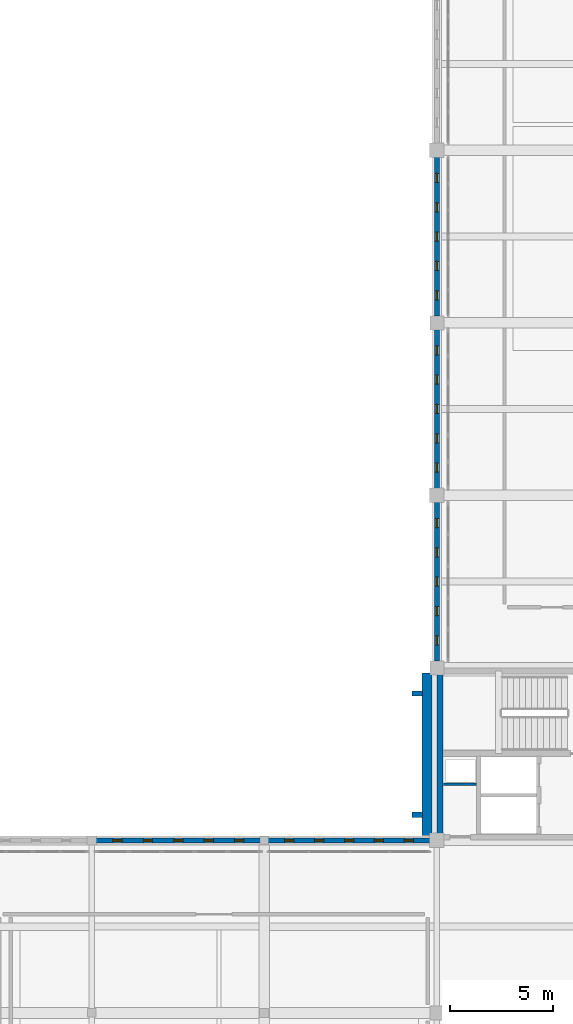
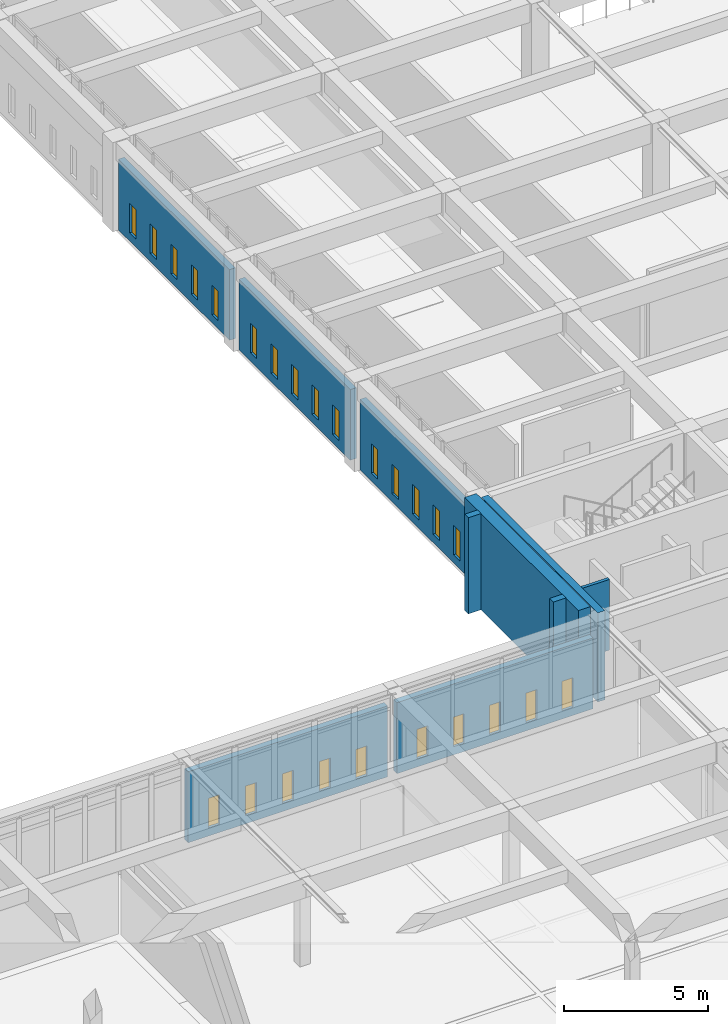
# One storey, part 86 of 110: 25 windows, 10 walls, 25 openings.
"""IFC4 building model written with IfcOpenShell, lengths in metres."""

from ifc_helpers import new_model, si_unit, direction, frame, frame_2d, origin, place, context, subcontext, project, spatial, rectangle, extrude, material, layer, layer_set, type_object, element, fill, save


model = new_model("IFC4")

# Units and contexts
model_context = context("Model", 3, precision=1e-05, world=origin(), true_north=direction((0.0, 1.0)))
body_context = subcontext(model_context, "Body", "Model", "MODEL_VIEW")
ifc_project = project(units=[si_unit("LENGTHUNIT", "METRE"), si_unit("AREAUNIT", "SQUARE_METRE"), si_unit("VOLUMEUNIT", "CUBIC_METRE"), si_unit("PLANEANGLEUNIT", "RADIAN"), si_unit("MASSUNIT", "GRAM", prefix="KILO")], contexts=[model_context])

# Site, building, storey
site_placement = place(None, origin())
site = spatial("IfcSite", under=ifc_project, at=site_placement, CompositionType="ELEMENT")
building_placement = place(site_placement, origin())
building = spatial("IfcBuilding", under=site, at=building_placement, Name="Kveldsbrygga Polytechnic", CompositionType="ELEMENT")
storey_placement = place(building_placement, frame((0.0, 0.0, 9.860107421875)))
storey = spatial("IfcBuildingStorey", under=building, at=storey_placement, Name="L02", CompositionType="ELEMENT", Elevation=9.860107421875)

# Walls
ifc_material_1 = material(Name="Fired clay brick masonry M10", Category="masonry")
ifc_layer_1 = layer(ifc_material_1, 0.47998046875)
ifc_layer_set_1 = layer_set([ifc_layer_1], Name="Fired clay brick masonry M10")
wall_type_1 = type_object("IfcWallType", Name="EW-BAST-480", PredefinedType="SOLIDWALL", material=ifc_layer_set_1)
wall_1_placement = place(storey_placement, frame((125.52001953125, 25.43994140625, 0.0), z_axis=(0.0, 0.0, 1.0), x_axis=(0.0, 1.0, 0.0)))
element("IfcWall", 1, at=wall_1_placement, inside=storey, type_object=wall_type_1, Name="Corner Stair Bastion Wall BAST-L02-Y-15-03", PredefinedType="SOLIDWALL", context=body_context, shape_type="SweptSolid", body=[
    extrude(rectangle(XDim=7.920166015625, YDim=0.47998046875, at=frame_2d((3.9599609375, 0.0))), origin(), (0.0, 0.0, 1.0), 4.079833984375),
])
ifc_layer_2 = layer(ifc_material_1, 0.260009765625)
ifc_layer_set_2 = layer_set([ifc_layer_2], Name="Fired clay brick masonry M10")
wall_type_2 = type_object("IfcWallType", Name="EW-BUTT-260", PredefinedType="SOLIDWALL", material=ifc_layer_set_2)
for number, where, z_axis, x_axis, name in (
    (2, (125.300048828125, 26.449951171875, 0.0), (0.0, 0.0, 1.0), (-1.0, 0.0, 0.0), "Gothic Brick Buttress Pier BCLAS-L02-Y-15-03-1"),
    (3, (125.300048828125, 32.35009765625, 0.0), (0.0, 0.0, 1.0), (-1.0, 0.0, 0.0), "Gothic Brick Buttress Pier BCLAS-L02-Y-15-03-2"),
):
    element("IfcWall", number, at=place(storey_placement, frame(where, z_axis=z_axis, x_axis=x_axis)), inside=storey, type_object=wall_type_2, Name=name, PredefinedType="SOLIDWALL", context=body_context, shape_type="SweptSolid", body=[
        extrude(rectangle(XDim=0.52001953125, YDim=0.260009765625, at=frame_2d((0.260009765625, 0.0))), origin(), (0.0, 0.0, 1.0), 4.079833984375),
    ])

# Wall, openings, windows
ifc_layer_3 = layer(ifc_material_1, 0.239990234375)
ifc_layer_set_3 = layer_set([ifc_layer_3], Name="Fired clay brick masonry M10")
wall_type_3 = type_object("IfcWallType", Name="EW-SCRN-240", PredefinedType="SOLIDWALL", material=ifc_layer_set_3)
wall_2_placement = place(storey_placement, frame((109.409912109375, 25.199951171875, 0.0), z_axis=(0.0, 0.0, 1.0), x_axis=(1.0, 0.0, 0.0)))
wall_2 = element("IfcWall", 4, at=wall_2_placement, inside=storey, type_object=wall_type_3, Name="Perforated Brick Corridor Screen Wall SCRW-L02-X-13-03", PredefinedType="SOLIDWALL", context=body_context, shape_type="SweptSolid", body=[
    extrude(rectangle(XDim=8.005126953125, YDim=0.239990234375, at=frame_2d((4.00244140625, 0.0))), origin(), (0.0, 0.0, 1.0), 3.010009765625),
])
opening_1_placement = place(wall_2_placement, frame((0.820556640625, 0.0, 0.35009765625)))
opening_1 = element("IfcOpeningElement", 5, at=opening_1_placement, cuts=wall_2, Name="Opening W-48", PredefinedType="OPENING", context=body_context, shape_type="SweptSolid", body=[
    extrude(rectangle(XDim=0.43994140625, YDim=1.25, at=frame_2d((0.219970703125, 0.625))), frame((0.0, 0.1298828125, 0.0), z_axis=(0.0, -1.0, 0.0), x_axis=(1.0, 0.0, 0.0)), (0.0, 0.0, 1.0), 0.260009765625),
])
opening_2_placement = place(wall_2_placement, frame((2.301513671875, 0.0, 0.35009765625)))
opening_2 = element("IfcOpeningElement", 6, at=opening_2_placement, cuts=wall_2, Name="Opening W-48", PredefinedType="OPENING", context=body_context, shape_type="SweptSolid", body=[
    extrude(rectangle(XDim=0.43994140625, YDim=1.25, at=frame_2d((0.219970703125, 0.625))), frame((0.0, 0.1298828125, 0.0), z_axis=(0.0, -1.0, 0.0), x_axis=(1.0, 0.0, 0.0)), (0.0, 0.0, 1.0), 0.260009765625),
])
opening_3_placement = place(wall_2_placement, frame((3.782470703125, 0.0, 0.35009765625)))
opening_3 = element("IfcOpeningElement", 7, at=opening_3_placement, cuts=wall_2, Name="Opening W-48", PredefinedType="OPENING", context=body_context, shape_type="SweptSolid", body=[
    extrude(rectangle(XDim=0.43994140625, YDim=1.25, at=frame_2d((0.219970703125, 0.625))), frame((0.0, 0.1298828125, 0.0), z_axis=(0.0, -1.0, 0.0), x_axis=(1.0, 0.0, 0.0)), (0.0, 0.0, 1.0), 0.260009765625),
])
opening_4_placement = place(wall_2_placement, frame((5.263427734375, 0.0, 0.35009765625)))
opening_4 = element("IfcOpeningElement", 8, at=opening_4_placement, cuts=wall_2, Name="Opening W-48", PredefinedType="OPENING", context=body_context, shape_type="SweptSolid", body=[
    extrude(rectangle(XDim=0.43994140625, YDim=1.25, at=frame_2d((0.219970703125, 0.625))), frame((0.0, 0.1298828125, 0.0), z_axis=(0.0, -1.0, 0.0), x_axis=(1.0, 0.0, 0.0)), (0.0, 0.0, 1.0), 0.260009765625),
])
opening_5_placement = place(wall_2_placement, frame((6.744384765625, 0.0, 0.35009765625)))
opening_5 = element("IfcOpeningElement", 9, at=opening_5_placement, cuts=wall_2, Name="Opening W-48", PredefinedType="OPENING", context=body_context, shape_type="SweptSolid", body=[
    extrude(rectangle(XDim=0.43994140625, YDim=1.25, at=frame_2d((0.219970703125, 0.625))), frame((0.0, 0.1298828125, 0.0), z_axis=(0.0, -1.0, 0.0), x_axis=(1.0, 0.0, 0.0)), (0.0, 0.0, 1.0), 0.260009765625),
])
ifc_material_2 = material(Name="Insulated triple low-E glass", Category="glass")
window_type = type_object("IfcWindowType", Name="WN-SCRN-044x125", PartitioningType="SINGLE_PANEL", PredefinedType="WINDOW", material=ifc_material_2)
window_1_placement = place(opening_1_placement, origin())
window_1 = element("IfcWindow", 10, at=window_1_placement, inside=storey, type_object=window_type, Name="Perforated Screen Aperture L02-X-13-03-1", OverallHeight=1.25, OverallWidth=0.43994140625, PartitioningType="SINGLE_PANEL", PredefinedType="WINDOW", context=body_context, shape_type="SweptSolid", body=[
    extrude(rectangle(XDim=0.43994140625, YDim=1.25, at=frame_2d((0.219970703125, 0.625))), frame((0.0, 0.030029296875, 0.0), z_axis=(0.0, -1.0, 0.0), x_axis=(1.0, 0.0, 0.0)), (0.0, 0.0, 1.0), 0.06005859375),
])
fill(opening_1, window_1)
window_2_placement = place(opening_2_placement, origin())
window_2 = element("IfcWindow", 11, at=window_2_placement, inside=storey, type_object=window_type, Name="Perforated Screen Aperture L02-X-13-03-2", OverallHeight=1.25, OverallWidth=0.43994140625, PartitioningType="SINGLE_PANEL", PredefinedType="WINDOW", context=body_context, shape_type="SweptSolid", body=[
    extrude(rectangle(XDim=0.43994140625, YDim=1.25, at=frame_2d((0.219970703125, 0.625))), frame((0.0, 0.030029296875, 0.0), z_axis=(0.0, -1.0, 0.0), x_axis=(1.0, 0.0, 0.0)), (0.0, 0.0, 1.0), 0.06005859375),
])
fill(opening_2, window_2)
window_3_placement = place(opening_3_placement, origin())
window_3 = element("IfcWindow", 12, at=window_3_placement, inside=storey, type_object=window_type, Name="Perforated Screen Aperture L02-X-13-03-3", OverallHeight=1.25, OverallWidth=0.43994140625, PartitioningType="SINGLE_PANEL", PredefinedType="WINDOW", context=body_context, shape_type="SweptSolid", body=[
    extrude(rectangle(XDim=0.43994140625, YDim=1.25, at=frame_2d((0.219970703125, 0.625))), frame((0.0, 0.030029296875, 0.0), z_axis=(0.0, -1.0, 0.0), x_axis=(1.0, 0.0, 0.0)), (0.0, 0.0, 1.0), 0.06005859375),
])
fill(opening_3, window_3)
window_4_placement = place(opening_4_placement, origin())
window_4 = element("IfcWindow", 13, at=window_4_placement, inside=storey, type_object=window_type, Name="Perforated Screen Aperture L02-X-13-03-4", OverallHeight=1.25, OverallWidth=0.43994140625, PartitioningType="SINGLE_PANEL", PredefinedType="WINDOW", context=body_context, shape_type="SweptSolid", body=[
    extrude(rectangle(XDim=0.43994140625, YDim=1.25, at=frame_2d((0.219970703125, 0.625))), frame((0.0, 0.030029296875, 0.0), z_axis=(0.0, -1.0, 0.0), x_axis=(1.0, 0.0, 0.0)), (0.0, 0.0, 1.0), 0.06005859375),
])
fill(opening_4, window_4)
window_5_placement = place(opening_5_placement, origin())
window_5 = element("IfcWindow", 14, at=window_5_placement, inside=storey, type_object=window_type, Name="Perforated Screen Aperture L02-X-13-03-5", OverallHeight=1.25, OverallWidth=0.43994140625, PartitioningType="SINGLE_PANEL", PredefinedType="WINDOW", context=body_context, shape_type="SweptSolid", body=[
    extrude(rectangle(XDim=0.43994140625, YDim=1.25, at=frame_2d((0.219970703125, 0.625))), frame((0.0, 0.030029296875, 0.0), z_axis=(0.0, -1.0, 0.0), x_axis=(1.0, 0.0, 0.0)), (0.0, 0.0, 1.0), 0.06005859375),
])
fill(opening_5, window_5)

wall_3_placement = place(storey_placement, frame((117.784912109375, 25.199951171875, 0.0), z_axis=(0.0, 0.0, 1.0), x_axis=(1.0, 0.0, 0.0)))
wall_3 = element("IfcWall", 15, at=wall_3_placement, inside=storey, type_object=wall_type_3, Name="Perforated Brick Corridor Screen Wall SCRW-L02-X-14-03", PredefinedType="SOLIDWALL", context=body_context, shape_type="SweptSolid", body=[
    extrude(rectangle(XDim=7.880126953125, YDim=0.239990234375, at=frame_2d((3.93994140625, 0.0))), origin(), (0.0, 0.0, 1.0), 3.010009765625),
])
opening_6_placement = place(wall_3_placement, frame((0.80810546875, 0.0, 0.35009765625)))
opening_6 = element("IfcOpeningElement", 16, at=opening_6_placement, cuts=wall_3, Name="Opening W-48", PredefinedType="OPENING", context=body_context, shape_type="SweptSolid", body=[
    extrude(rectangle(XDim=0.43994140625, YDim=1.25, at=frame_2d((0.219970703125, 0.625))), frame((0.0, 0.1298828125, 0.0), z_axis=(0.0, -1.0, 0.0), x_axis=(1.0, 0.0, 0.0)), (0.0, 0.0, 1.0), 0.260009765625),
])
opening_7_placement = place(wall_3_placement, frame((2.263916015625, 0.0, 0.35009765625)))
opening_7 = element("IfcOpeningElement", 17, at=opening_7_placement, cuts=wall_3, Name="Opening W-48", PredefinedType="OPENING", context=body_context, shape_type="SweptSolid", body=[
    extrude(rectangle(XDim=0.43994140625, YDim=1.25, at=frame_2d((0.219970703125, 0.625))), frame((0.0, 0.1298828125, 0.0), z_axis=(0.0, -1.0, 0.0), x_axis=(1.0, 0.0, 0.0)), (0.0, 0.0, 1.0), 0.260009765625),
])
opening_8_placement = place(wall_3_placement, frame((3.719970703125, 0.0, 0.35009765625)))
opening_8 = element("IfcOpeningElement", 18, at=opening_8_placement, cuts=wall_3, Name="Opening W-48", PredefinedType="OPENING", context=body_context, shape_type="SweptSolid", body=[
    extrude(rectangle(XDim=0.43994140625, YDim=1.25, at=frame_2d((0.219970703125, 0.625))), frame((0.0, 0.1298828125, 0.0), z_axis=(0.0, -1.0, 0.0), x_axis=(1.0, 0.0, 0.0)), (0.0, 0.0, 1.0), 0.260009765625),
])
opening_9_placement = place(wall_3_placement, frame((5.176025390625, 0.0, 0.35009765625)))
opening_9 = element("IfcOpeningElement", 19, at=opening_9_placement, cuts=wall_3, Name="Opening W-48", PredefinedType="OPENING", context=body_context, shape_type="SweptSolid", body=[
    extrude(rectangle(XDim=0.43994140625, YDim=1.25, at=frame_2d((0.219970703125, 0.625))), frame((0.0, 0.1298828125, 0.0), z_axis=(0.0, -1.0, 0.0), x_axis=(1.0, 0.0, 0.0)), (0.0, 0.0, 1.0), 0.260009765625),
])
opening_10_placement = place(wall_3_placement, frame((6.632080078125, 0.0, 0.35009765625)))
opening_10 = element("IfcOpeningElement", 20, at=opening_10_placement, cuts=wall_3, Name="Opening W-48", PredefinedType="OPENING", context=body_context, shape_type="SweptSolid", body=[
    extrude(rectangle(XDim=0.43994140625, YDim=1.25, at=frame_2d((0.219970703125, 0.625))), frame((0.0, 0.1298828125, 0.0), z_axis=(0.0, -1.0, 0.0), x_axis=(1.0, 0.0, 0.0)), (0.0, 0.0, 1.0), 0.260009765625),
])
window_6_placement = place(opening_6_placement, origin())
window_6 = element("IfcWindow", 21, at=window_6_placement, inside=storey, type_object=window_type, Name="Perforated Screen Aperture L02-X-14-03-1", OverallHeight=1.25, OverallWidth=0.43994140625, PartitioningType="SINGLE_PANEL", PredefinedType="WINDOW", context=body_context, shape_type="SweptSolid", body=[
    extrude(rectangle(XDim=0.43994140625, YDim=1.25, at=frame_2d((0.219970703125, 0.625))), frame((0.0, 0.030029296875, 0.0), z_axis=(0.0, -1.0, 0.0), x_axis=(1.0, 0.0, 0.0)), (0.0, 0.0, 1.0), 0.06005859375),
])
fill(opening_6, window_6)
window_7_placement = place(opening_7_placement, origin())
window_7 = element("IfcWindow", 22, at=window_7_placement, inside=storey, type_object=window_type, Name="Perforated Screen Aperture L02-X-14-03-2", OverallHeight=1.25, OverallWidth=0.43994140625, PartitioningType="SINGLE_PANEL", PredefinedType="WINDOW", context=body_context, shape_type="SweptSolid", body=[
    extrude(rectangle(XDim=0.43994140625, YDim=1.25, at=frame_2d((0.219970703125, 0.625))), frame((0.0, 0.030029296875, 0.0), z_axis=(0.0, -1.0, 0.0), x_axis=(1.0, 0.0, 0.0)), (0.0, 0.0, 1.0), 0.06005859375),
])
fill(opening_7, window_7)
window_8_placement = place(opening_8_placement, origin())
window_8 = element("IfcWindow", 23, at=window_8_placement, inside=storey, type_object=window_type, Name="Perforated Screen Aperture L02-X-14-03-3", OverallHeight=1.25, OverallWidth=0.43994140625, PartitioningType="SINGLE_PANEL", PredefinedType="WINDOW", context=body_context, shape_type="SweptSolid", body=[
    extrude(rectangle(XDim=0.43994140625, YDim=1.25, at=frame_2d((0.219970703125, 0.625))), frame((0.0, 0.030029296875, 0.0), z_axis=(0.0, -1.0, 0.0), x_axis=(1.0, 0.0, 0.0)), (0.0, 0.0, 1.0), 0.06005859375),
])
fill(opening_8, window_8)
window_9_placement = place(opening_9_placement, origin())
window_9 = element("IfcWindow", 24, at=window_9_placement, inside=storey, type_object=window_type, Name="Perforated Screen Aperture L02-X-14-03-4", OverallHeight=1.25, OverallWidth=0.43994140625, PartitioningType="SINGLE_PANEL", PredefinedType="WINDOW", context=body_context, shape_type="SweptSolid", body=[
    extrude(rectangle(XDim=0.43994140625, YDim=1.25, at=frame_2d((0.219970703125, 0.625))), frame((0.0, 0.030029296875, 0.0), z_axis=(0.0, -1.0, 0.0), x_axis=(1.0, 0.0, 0.0)), (0.0, 0.0, 1.0), 0.06005859375),
])
fill(opening_9, window_9)
window_10_placement = place(opening_10_placement, origin())
window_10 = element("IfcWindow", 25, at=window_10_placement, inside=storey, type_object=window_type, Name="Perforated Screen Aperture L02-X-14-03-5", OverallHeight=1.25, OverallWidth=0.43994140625, PartitioningType="SINGLE_PANEL", PredefinedType="WINDOW", context=body_context, shape_type="SweptSolid", body=[
    extrude(rectangle(XDim=0.43994140625, YDim=1.25, at=frame_2d((0.219970703125, 0.625))), frame((0.0, 0.030029296875, 0.0), z_axis=(0.0, -1.0, 0.0), x_axis=(1.0, 0.0, 0.0)), (0.0, 0.0, 1.0), 0.06005859375),
])
fill(opening_10, window_10)

wall_4_placement = place(storey_placement, frame((126.0, 33.925048828125, 0.0), z_axis=(0.0, 0.0, 1.0), x_axis=(0.0, 1.0, 0.0)))
wall_4 = element("IfcWall", 26, at=wall_4_placement, inside=storey, type_object=wall_type_3, Name="Perforated Brick Corridor Screen Wall SCRW-L02-Y-15-04", PredefinedType="SOLIDWALL", context=body_context, shape_type="SweptSolid", body=[
    extrude(rectangle(XDim=7.739990234375, YDim=0.239990234375, at=frame_2d((3.8701171875, 0.0))), origin(), (0.0, 0.0, 1.0), 3.0),
])
opening_11_placement = place(wall_4_placement, frame((0.7939453125, 0.0, 0.35009765625)))
opening_11 = element("IfcOpeningElement", 27, at=opening_11_placement, cuts=wall_4, Name="Opening W-48", PredefinedType="OPENING", context=body_context, shape_type="SweptSolid", body=[
    extrude(rectangle(XDim=0.43994140625, YDim=1.25, at=frame_2d((0.219970703125, 0.625))), frame((0.0, 0.1298828125, 0.0), z_axis=(0.0, -1.0, 0.0), x_axis=(1.0, 0.0, 0.0)), (0.0, 0.0, 1.0), 0.260009765625),
])
opening_12_placement = place(wall_4_placement, frame((2.221923828125, 0.0, 0.35009765625)))
opening_12 = element("IfcOpeningElement", 28, at=opening_12_placement, cuts=wall_4, Name="Opening W-48", PredefinedType="OPENING", context=body_context, shape_type="SweptSolid", body=[
    extrude(rectangle(XDim=0.43994140625, YDim=1.25, at=frame_2d((0.219970703125, 0.625))), frame((0.0, 0.1298828125, 0.0), z_axis=(0.0, -1.0, 0.0), x_axis=(1.0, 0.0, 0.0)), (0.0, 0.0, 1.0), 0.260009765625),
])
opening_13_placement = place(wall_4_placement, frame((3.64990234375, 0.0, 0.35009765625)))
opening_13 = element("IfcOpeningElement", 29, at=opening_13_placement, cuts=wall_4, Name="Opening W-48", PredefinedType="OPENING", context=body_context, shape_type="SweptSolid", body=[
    extrude(rectangle(XDim=0.43994140625, YDim=1.25, at=frame_2d((0.219970703125, 0.625))), frame((0.0, 0.1298828125, 0.0), z_axis=(0.0, -1.0, 0.0), x_axis=(1.0, 0.0, 0.0)), (0.0, 0.0, 1.0), 0.260009765625),
])
opening_14_placement = place(wall_4_placement, frame((5.077880859375, 0.0, 0.35009765625)))
opening_14 = element("IfcOpeningElement", 30, at=opening_14_placement, cuts=wall_4, Name="Opening W-48", PredefinedType="OPENING", context=body_context, shape_type="SweptSolid", body=[
    extrude(rectangle(XDim=0.43994140625, YDim=1.25, at=frame_2d((0.219970703125, 0.625))), frame((0.0, 0.1298828125, 0.0), z_axis=(0.0, -1.0, 0.0), x_axis=(1.0, 0.0, 0.0)), (0.0, 0.0, 1.0), 0.260009765625),
])
opening_15_placement = place(wall_4_placement, frame((6.506103515625, 0.0, 0.35009765625)))
opening_15 = element("IfcOpeningElement", 31, at=opening_15_placement, cuts=wall_4, Name="Opening W-48", PredefinedType="OPENING", context=body_context, shape_type="SweptSolid", body=[
    extrude(rectangle(XDim=0.43994140625, YDim=1.25, at=frame_2d((0.219970703125, 0.625))), frame((0.0, 0.1298828125, 0.0), z_axis=(0.0, -1.0, 0.0), x_axis=(1.0, 0.0, 0.0)), (0.0, 0.0, 1.0), 0.260009765625),
])
window_11_placement = place(opening_11_placement, origin())
window_11 = element("IfcWindow", 32, at=window_11_placement, inside=storey, type_object=window_type, Name="Perforated Screen Aperture L02-Y-15-04-1", OverallHeight=1.25, OverallWidth=0.43994140625, PartitioningType="SINGLE_PANEL", PredefinedType="WINDOW", context=body_context, shape_type="SweptSolid", body=[
    extrude(rectangle(XDim=0.43994140625, YDim=1.25, at=frame_2d((0.219970703125, 0.625))), frame((0.0, 0.030029296875, 0.0), z_axis=(0.0, -1.0, 0.0), x_axis=(1.0, 0.0, 0.0)), (0.0, 0.0, 1.0), 0.06005859375),
])
fill(opening_11, window_11)
window_12_placement = place(opening_12_placement, origin())
window_12 = element("IfcWindow", 33, at=window_12_placement, inside=storey, type_object=window_type, Name="Perforated Screen Aperture L02-Y-15-04-2", OverallHeight=1.25, OverallWidth=0.43994140625, PartitioningType="SINGLE_PANEL", PredefinedType="WINDOW", context=body_context, shape_type="SweptSolid", body=[
    extrude(rectangle(XDim=0.43994140625, YDim=1.25, at=frame_2d((0.219970703125, 0.625))), frame((0.0, 0.030029296875, 0.0), z_axis=(0.0, -1.0, 0.0), x_axis=(1.0, 0.0, 0.0)), (0.0, 0.0, 1.0), 0.06005859375),
])
fill(opening_12, window_12)
window_13_placement = place(opening_13_placement, origin())
window_13 = element("IfcWindow", 34, at=window_13_placement, inside=storey, type_object=window_type, Name="Perforated Screen Aperture L02-Y-15-04-3", OverallHeight=1.25, OverallWidth=0.43994140625, PartitioningType="SINGLE_PANEL", PredefinedType="WINDOW", context=body_context, shape_type="SweptSolid", body=[
    extrude(rectangle(XDim=0.43994140625, YDim=1.25, at=frame_2d((0.219970703125, 0.625))), frame((0.0, 0.030029296875, 0.0), z_axis=(0.0, -1.0, 0.0), x_axis=(1.0, 0.0, 0.0)), (0.0, 0.0, 1.0), 0.06005859375),
])
fill(opening_13, window_13)
window_14_placement = place(opening_14_placement, origin())
window_14 = element("IfcWindow", 35, at=window_14_placement, inside=storey, type_object=window_type, Name="Perforated Screen Aperture L02-Y-15-04-4", OverallHeight=1.25, OverallWidth=0.43994140625, PartitioningType="SINGLE_PANEL", PredefinedType="WINDOW", context=body_context, shape_type="SweptSolid", body=[
    extrude(rectangle(XDim=0.43994140625, YDim=1.25, at=frame_2d((0.219970703125, 0.625))), frame((0.0, 0.030029296875, 0.0), z_axis=(0.0, -1.0, 0.0), x_axis=(1.0, 0.0, 0.0)), (0.0, 0.0, 1.0), 0.06005859375),
])
fill(opening_14, window_14)
window_15_placement = place(opening_15_placement, origin())
window_15 = element("IfcWindow", 36, at=window_15_placement, inside=storey, type_object=window_type, Name="Perforated Screen Aperture L02-Y-15-04-5", OverallHeight=1.25, OverallWidth=0.43994140625, PartitioningType="SINGLE_PANEL", PredefinedType="WINDOW", context=body_context, shape_type="SweptSolid", body=[
    extrude(rectangle(XDim=0.43994140625, YDim=1.25, at=frame_2d((0.219970703125, 0.625))), frame((0.0, 0.030029296875, 0.0), z_axis=(0.0, -1.0, 0.0), x_axis=(1.0, 0.0, 0.0)), (0.0, 0.0, 1.0), 0.06005859375),
])
fill(opening_15, window_15)

wall_5_placement = place(storey_placement, frame((126.0, 42.3349609375, 0.0), z_axis=(0.0, 0.0, 1.0), x_axis=(0.0, 1.0, 0.0)))
wall_5 = element("IfcWall", 37, at=wall_5_placement, inside=storey, type_object=wall_type_3, Name="Perforated Brick Corridor Screen Wall SCRW-L02-Y-15-05", PredefinedType="SOLIDWALL", context=body_context, shape_type="SweptSolid", body=[
    extrude(rectangle(XDim=7.739990234375, YDim=0.239990234375, at=frame_2d((3.8701171875, 0.0))), origin(), (0.0, 0.0, 1.0), 3.0),
])
opening_16_placement = place(wall_5_placement, frame((0.7939453125, 0.0, 0.35009765625)))
opening_16 = element("IfcOpeningElement", 38, at=opening_16_placement, cuts=wall_5, Name="Opening W-48", PredefinedType="OPENING", context=body_context, shape_type="SweptSolid", body=[
    extrude(rectangle(XDim=0.43994140625, YDim=1.25, at=frame_2d((0.219970703125, 0.625))), frame((0.0, 0.1298828125, 0.0), z_axis=(0.0, -1.0, 0.0), x_axis=(1.0, 0.0, 0.0)), (0.0, 0.0, 1.0), 0.260009765625),
])
opening_17_placement = place(wall_5_placement, frame((2.221923828125, 0.0, 0.35009765625)))
opening_17 = element("IfcOpeningElement", 39, at=opening_17_placement, cuts=wall_5, Name="Opening W-48", PredefinedType="OPENING", context=body_context, shape_type="SweptSolid", body=[
    extrude(rectangle(XDim=0.43994140625, YDim=1.25, at=frame_2d((0.219970703125, 0.625))), frame((0.0, 0.1298828125, 0.0), z_axis=(0.0, -1.0, 0.0), x_axis=(1.0, 0.0, 0.0)), (0.0, 0.0, 1.0), 0.260009765625),
])
opening_18_placement = place(wall_5_placement, frame((3.64990234375, 0.0, 0.35009765625)))
opening_18 = element("IfcOpeningElement", 40, at=opening_18_placement, cuts=wall_5, Name="Opening W-48", PredefinedType="OPENING", context=body_context, shape_type="SweptSolid", body=[
    extrude(rectangle(XDim=0.43994140625, YDim=1.25, at=frame_2d((0.219970703125, 0.625))), frame((0.0, 0.1298828125, 0.0), z_axis=(0.0, -1.0, 0.0), x_axis=(1.0, 0.0, 0.0)), (0.0, 0.0, 1.0), 0.260009765625),
])
opening_19_placement = place(wall_5_placement, frame((5.077880859375, 0.0, 0.35009765625)))
opening_19 = element("IfcOpeningElement", 41, at=opening_19_placement, cuts=wall_5, Name="Opening W-48", PredefinedType="OPENING", context=body_context, shape_type="SweptSolid", body=[
    extrude(rectangle(XDim=0.43994140625, YDim=1.25, at=frame_2d((0.219970703125, 0.625))), frame((0.0, 0.1298828125, 0.0), z_axis=(0.0, -1.0, 0.0), x_axis=(1.0, 0.0, 0.0)), (0.0, 0.0, 1.0), 0.260009765625),
])
opening_20_placement = place(wall_5_placement, frame((6.506103515625, 0.0, 0.35009765625)))
opening_20 = element("IfcOpeningElement", 42, at=opening_20_placement, cuts=wall_5, Name="Opening W-48", PredefinedType="OPENING", context=body_context, shape_type="SweptSolid", body=[
    extrude(rectangle(XDim=0.43994140625, YDim=1.25, at=frame_2d((0.219970703125, 0.625))), frame((0.0, 0.1298828125, 0.0), z_axis=(0.0, -1.0, 0.0), x_axis=(1.0, 0.0, 0.0)), (0.0, 0.0, 1.0), 0.260009765625),
])
window_16_placement = place(opening_16_placement, origin())
window_16 = element("IfcWindow", 43, at=window_16_placement, inside=storey, type_object=window_type, Name="Perforated Screen Aperture L02-Y-15-05-1", OverallHeight=1.25, OverallWidth=0.43994140625, PartitioningType="SINGLE_PANEL", PredefinedType="WINDOW", context=body_context, shape_type="SweptSolid", body=[
    extrude(rectangle(XDim=0.43994140625, YDim=1.25, at=frame_2d((0.219970703125, 0.625))), frame((0.0, 0.030029296875, 0.0), z_axis=(0.0, -1.0, 0.0), x_axis=(1.0, 0.0, 0.0)), (0.0, 0.0, 1.0), 0.06005859375),
])
fill(opening_16, window_16)
window_17_placement = place(opening_17_placement, origin())
window_17 = element("IfcWindow", 44, at=window_17_placement, inside=storey, type_object=window_type, Name="Perforated Screen Aperture L02-Y-15-05-2", OverallHeight=1.25, OverallWidth=0.43994140625, PartitioningType="SINGLE_PANEL", PredefinedType="WINDOW", context=body_context, shape_type="SweptSolid", body=[
    extrude(rectangle(XDim=0.43994140625, YDim=1.25, at=frame_2d((0.219970703125, 0.625))), frame((0.0, 0.030029296875, 0.0), z_axis=(0.0, -1.0, 0.0), x_axis=(1.0, 0.0, 0.0)), (0.0, 0.0, 1.0), 0.06005859375),
])
fill(opening_17, window_17)
window_18_placement = place(opening_18_placement, origin())
window_18 = element("IfcWindow", 45, at=window_18_placement, inside=storey, type_object=window_type, Name="Perforated Screen Aperture L02-Y-15-05-3", OverallHeight=1.25, OverallWidth=0.43994140625, PartitioningType="SINGLE_PANEL", PredefinedType="WINDOW", context=body_context, shape_type="SweptSolid", body=[
    extrude(rectangle(XDim=0.43994140625, YDim=1.25, at=frame_2d((0.219970703125, 0.625))), frame((0.0, 0.030029296875, 0.0), z_axis=(0.0, -1.0, 0.0), x_axis=(1.0, 0.0, 0.0)), (0.0, 0.0, 1.0), 0.06005859375),
])
fill(opening_18, window_18)
window_19_placement = place(opening_19_placement, origin())
window_19 = element("IfcWindow", 46, at=window_19_placement, inside=storey, type_object=window_type, Name="Perforated Screen Aperture L02-Y-15-05-4", OverallHeight=1.25, OverallWidth=0.43994140625, PartitioningType="SINGLE_PANEL", PredefinedType="WINDOW", context=body_context, shape_type="SweptSolid", body=[
    extrude(rectangle(XDim=0.43994140625, YDim=1.25, at=frame_2d((0.219970703125, 0.625))), frame((0.0, 0.030029296875, 0.0), z_axis=(0.0, -1.0, 0.0), x_axis=(1.0, 0.0, 0.0)), (0.0, 0.0, 1.0), 0.06005859375),
])
fill(opening_19, window_19)
window_20_placement = place(opening_20_placement, origin())
window_20 = element("IfcWindow", 47, at=window_20_placement, inside=storey, type_object=window_type, Name="Perforated Screen Aperture L02-Y-15-05-5", OverallHeight=1.25, OverallWidth=0.43994140625, PartitioningType="SINGLE_PANEL", PredefinedType="WINDOW", context=body_context, shape_type="SweptSolid", body=[
    extrude(rectangle(XDim=0.43994140625, YDim=1.25, at=frame_2d((0.219970703125, 0.625))), frame((0.0, 0.030029296875, 0.0), z_axis=(0.0, -1.0, 0.0), x_axis=(1.0, 0.0, 0.0)), (0.0, 0.0, 1.0), 0.06005859375),
])
fill(opening_20, window_20)

wall_6_placement = place(storey_placement, frame((126.0, 50.72509765625, 0.0), z_axis=(0.0, 0.0, 1.0), x_axis=(0.0, 1.0, 0.0)))
wall_6 = element("IfcWall", 48, at=wall_6_placement, inside=storey, type_object=wall_type_3, Name="Perforated Brick Corridor Screen Wall SCRW-L02-Y-15-06", PredefinedType="SOLIDWALL", context=body_context, shape_type="SweptSolid", body=[
    extrude(rectangle(XDim=7.739990234375, YDim=0.239990234375, at=frame_2d((3.8701171875, 0.0))), origin(), (0.0, 0.0, 1.0), 3.0),
])
opening_21_placement = place(wall_6_placement, frame((0.7939453125, 0.0, 0.35009765625)))
opening_21 = element("IfcOpeningElement", 49, at=opening_21_placement, cuts=wall_6, Name="Opening W-48", PredefinedType="OPENING", context=body_context, shape_type="SweptSolid", body=[
    extrude(rectangle(XDim=0.43994140625, YDim=1.25, at=frame_2d((0.219970703125, 0.625))), frame((0.0, 0.1298828125, 0.0), z_axis=(0.0, -1.0, 0.0), x_axis=(1.0, 0.0, 0.0)), (0.0, 0.0, 1.0), 0.260009765625),
])
opening_22_placement = place(wall_6_placement, frame((2.221923828125, 0.0, 0.35009765625)))
opening_22 = element("IfcOpeningElement", 50, at=opening_22_placement, cuts=wall_6, Name="Opening W-48", PredefinedType="OPENING", context=body_context, shape_type="SweptSolid", body=[
    extrude(rectangle(XDim=0.43994140625, YDim=1.25, at=frame_2d((0.219970703125, 0.625))), frame((0.0, 0.1298828125, 0.0), z_axis=(0.0, -1.0, 0.0), x_axis=(1.0, 0.0, 0.0)), (0.0, 0.0, 1.0), 0.260009765625),
])
opening_23_placement = place(wall_6_placement, frame((3.64990234375, 0.0, 0.35009765625)))
opening_23 = element("IfcOpeningElement", 51, at=opening_23_placement, cuts=wall_6, Name="Opening W-48", PredefinedType="OPENING", context=body_context, shape_type="SweptSolid", body=[
    extrude(rectangle(XDim=0.43994140625, YDim=1.25, at=frame_2d((0.219970703125, 0.625))), frame((0.0, 0.1298828125, 0.0), z_axis=(0.0, -1.0, 0.0), x_axis=(1.0, 0.0, 0.0)), (0.0, 0.0, 1.0), 0.260009765625),
])
opening_24_placement = place(wall_6_placement, frame((5.077880859375, 0.0, 0.35009765625)))
opening_24 = element("IfcOpeningElement", 52, at=opening_24_placement, cuts=wall_6, Name="Opening W-48", PredefinedType="OPENING", context=body_context, shape_type="SweptSolid", body=[
    extrude(rectangle(XDim=0.43994140625, YDim=1.25, at=frame_2d((0.219970703125, 0.625))), frame((0.0, 0.1298828125, 0.0), z_axis=(0.0, -1.0, 0.0), x_axis=(1.0, 0.0, 0.0)), (0.0, 0.0, 1.0), 0.260009765625),
])
opening_25_placement = place(wall_6_placement, frame((6.506103515625, 0.0, 0.35009765625)))
opening_25 = element("IfcOpeningElement", 53, at=opening_25_placement, cuts=wall_6, Name="Opening W-48", PredefinedType="OPENING", context=body_context, shape_type="SweptSolid", body=[
    extrude(rectangle(XDim=0.43994140625, YDim=1.25, at=frame_2d((0.219970703125, 0.625))), frame((0.0, 0.1298828125, 0.0), z_axis=(0.0, -1.0, 0.0), x_axis=(1.0, 0.0, 0.0)), (0.0, 0.0, 1.0), 0.260009765625),
])
window_21_placement = place(opening_21_placement, origin())
window_21 = element("IfcWindow", 54, at=window_21_placement, inside=storey, type_object=window_type, Name="Perforated Screen Aperture L02-Y-15-06-1", OverallHeight=1.25, OverallWidth=0.43994140625, PartitioningType="SINGLE_PANEL", PredefinedType="WINDOW", context=body_context, shape_type="SweptSolid", body=[
    extrude(rectangle(XDim=0.43994140625, YDim=1.25, at=frame_2d((0.219970703125, 0.625))), frame((0.0, 0.030029296875, 0.0), z_axis=(0.0, -1.0, 0.0), x_axis=(1.0, 0.0, 0.0)), (0.0, 0.0, 1.0), 0.06005859375),
])
fill(opening_21, window_21)
window_22_placement = place(opening_22_placement, origin())
window_22 = element("IfcWindow", 55, at=window_22_placement, inside=storey, type_object=window_type, Name="Perforated Screen Aperture L02-Y-15-06-2", OverallHeight=1.25, OverallWidth=0.43994140625, PartitioningType="SINGLE_PANEL", PredefinedType="WINDOW", context=body_context, shape_type="SweptSolid", body=[
    extrude(rectangle(XDim=0.43994140625, YDim=1.25, at=frame_2d((0.219970703125, 0.625))), frame((0.0, 0.030029296875, 0.0), z_axis=(0.0, -1.0, 0.0), x_axis=(1.0, 0.0, 0.0)), (0.0, 0.0, 1.0), 0.06005859375),
])
fill(opening_22, window_22)
window_23_placement = place(opening_23_placement, origin())
window_23 = element("IfcWindow", 56, at=window_23_placement, inside=storey, type_object=window_type, Name="Perforated Screen Aperture L02-Y-15-06-3", OverallHeight=1.25, OverallWidth=0.43994140625, PartitioningType="SINGLE_PANEL", PredefinedType="WINDOW", context=body_context, shape_type="SweptSolid", body=[
    extrude(rectangle(XDim=0.43994140625, YDim=1.25, at=frame_2d((0.219970703125, 0.625))), frame((0.0, 0.030029296875, 0.0), z_axis=(0.0, -1.0, 0.0), x_axis=(1.0, 0.0, 0.0)), (0.0, 0.0, 1.0), 0.06005859375),
])
fill(opening_23, window_23)
window_24_placement = place(opening_24_placement, origin())
window_24 = element("IfcWindow", 57, at=window_24_placement, inside=storey, type_object=window_type, Name="Perforated Screen Aperture L02-Y-15-06-4", OverallHeight=1.25, OverallWidth=0.43994140625, PartitioningType="SINGLE_PANEL", PredefinedType="WINDOW", context=body_context, shape_type="SweptSolid", body=[
    extrude(rectangle(XDim=0.43994140625, YDim=1.25, at=frame_2d((0.219970703125, 0.625))), frame((0.0, 0.030029296875, 0.0), z_axis=(0.0, -1.0, 0.0), x_axis=(1.0, 0.0, 0.0)), (0.0, 0.0, 1.0), 0.06005859375),
])
fill(opening_24, window_24)
window_25_placement = place(opening_25_placement, origin())
window_25 = element("IfcWindow", 58, at=window_25_placement, inside=storey, type_object=window_type, Name="Perforated Screen Aperture L02-Y-15-06-5", OverallHeight=1.25, OverallWidth=0.43994140625, PartitioningType="SINGLE_PANEL", PredefinedType="WINDOW", context=body_context, shape_type="SweptSolid", body=[
    extrude(rectangle(XDim=0.43994140625, YDim=1.25, at=frame_2d((0.219970703125, 0.625))), frame((0.0, 0.030029296875, 0.0), z_axis=(0.0, -1.0, 0.0), x_axis=(1.0, 0.0, 0.0)), (0.0, 0.0, 1.0), 0.06005859375),
])
fill(opening_25, window_25)

# Walls
ifc_material_3 = material(Name="Moisture-resistant masonry M10", Category="masonry")
ifc_layer_4 = layer(ifc_material_3, 0.1298828125)
ifc_layer_set_4 = layer_set([ifc_layer_4], Name="Moisture-resistant masonry M10")
wall_type_4 = type_object("IfcWallType", Name="IW-SAN-130", PredefinedType="PARTITIONING", material=ifc_layer_set_4)
wall_7_placement = place(storey_placement, frame((126.320068359375, 27.93994140625, 0.0), z_axis=(0.0, 0.0, 1.0), x_axis=(1.0, 0.0, 0.0)))
element("IfcWall", 59, at=wall_7_placement, inside=storey, type_object=wall_type_4, Name="Core AWC Divider C1-L02-W-RSR", PredefinedType="PARTITIONING", context=body_context, shape_type="SweptSolid", body=[
    extrude(rectangle(XDim=1.619873046875, YDim=0.1298828125, at=frame_2d((0.81005859375, 0.0))), origin(), (0.0, 0.0, 1.0), 3.0),
])
ifc_material_4 = material(Name="Concrete C45/55", Category="concrete")
ifc_layer_5 = layer(ifc_material_4, 0.280029296875)
ifc_layer_set_5 = layer_set([ifc_layer_5], Name="Concrete C45/55")
wall_type_5 = type_object("IfcWallType", Name="WL-CORE-280", PredefinedType="SHEAR", material=ifc_layer_set_5)
wall_8_placement = place(storey_placement, frame((126.14990234375, 25.35009765625, 0.0), z_axis=(0.0, 0.0, 1.0), x_axis=(0.0, 1.0, 0.0)))
element("IfcWall", 60, at=wall_8_placement, inside=storey, type_object=wall_type_5, Name="Core C1 Shear Wall C1-L02-SW-W", PredefinedType="SHEAR", context=body_context, shape_type="SweptSolid", body=[
    extrude(rectangle(XDim=8.099853515625, YDim=0.280029296875, at=frame_2d((4.0498046875, 0.0))), origin(), (0.0, 0.0, 1.0), 3.77978515625),
])

save(model, "model.ifc")
